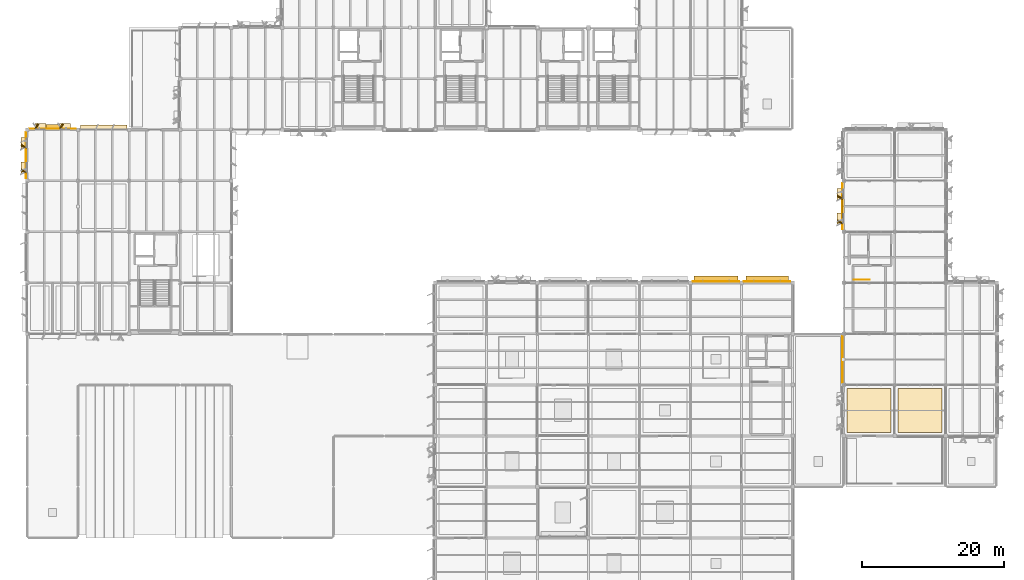
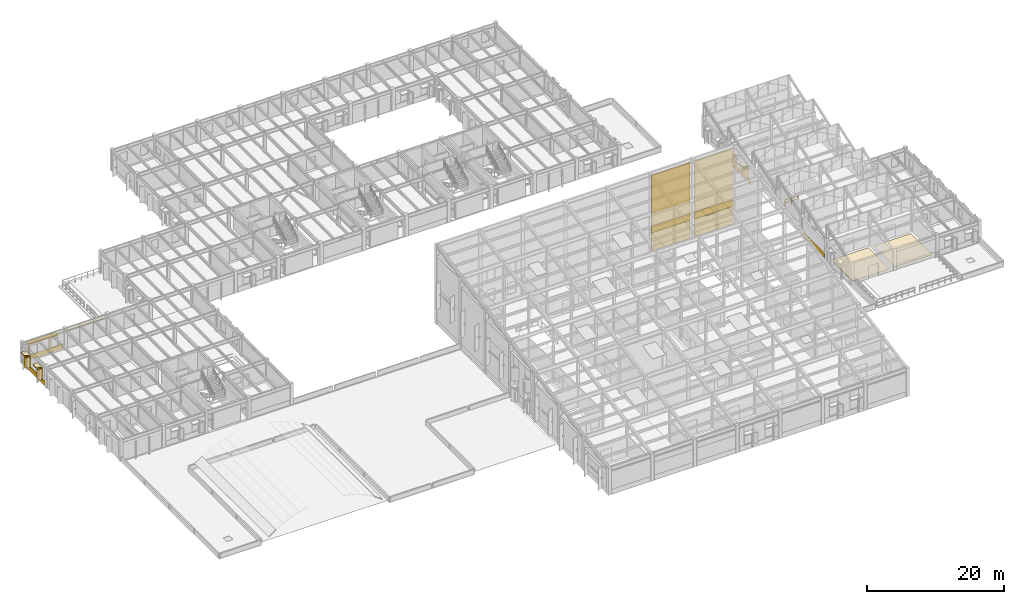
# One storey, part 76 of 82: 27 coverings, 4 shading devices, 1 railing.
"""IFC4 building model written with IfcOpenShell, lengths in metres."""

import ifcopenshell
import ifcopenshell.guid

model = None  # the IFC model being written
_history = None  # IfcOwnerHistory: only IFC2X3 demands one
_inside = {}  # id of a spatial element -> (the spatial element, [elements in it])
_under = {}  # id of a project, library or spatial element -> (it, [spatial elements below it])
_declared = {}  # id of a project -> (the project, [libraries it declares])
_typed = {}  # id of a type object -> (the type object, [elements of that type])
_made_of = {}  # id of a material, layer set ... -> (it, [elements and type objects made of it])


def new_model(schema):
    """Start an empty IFC model of exactly this schema.

    Asked for "IFC4X3", IfcOpenShell would pick the latest addendum, in which some entities
    have other attributes; the version numbers below select the first issue.
    IFC2X3 requires an IfcOwnerHistory on every rooted entity: one is made here for all.
    """
    global model, _history
    if schema == "IFC4X3":
        model = ifcopenshell.file(schema_version=(4, 3, 0, 0))
    else:
        model = ifcopenshell.file(schema=schema)
    _inside.clear()
    _under.clear()
    _declared.clear()
    _typed.clear()
    _made_of.clear()
    _history = None
    if model.schema == "IFC2X3":
        org = make("IfcOrganization", Name="unknown")
        user = make(
            "IfcPersonAndOrganization",
            ThePerson=make("IfcPerson", FamilyName="unknown"),
            TheOrganization=org,
        )
        app = make(
            "IfcApplication",
            ApplicationDeveloper=org,
            Version="unknown",
            ApplicationFullName="unknown",
            ApplicationIdentifier="unknown",
        )
        _history = make(
            "IfcOwnerHistory",
            OwningUser=user,
            OwningApplication=app,
            ChangeAction="ADDED",
            CreationDate=0,
        )
    return model


def make(cls, **values):
    """One entity of the class cls with the attributes given. An attribute that is None is left unset."""
    return model.create_entity(
        cls, **{name: value for name, value in values.items() if value is not None}
    )


def rooted(cls, **values):
    """An entity with a GlobalId (a new one), such as an element, a storey or a relation."""
    return make(cls, GlobalId=ifcopenshell.guid.new(), OwnerHistory=_history, **values)


def si_unit(unit_type, name, prefix=None):
    """IfcSIUnit, for example si_unit("LENGTHUNIT", "METRE", prefix="MILLI")."""
    return make("IfcSIUnit", UnitType=unit_type, Prefix=prefix, Name=name)


def assignment(units):
    """IfcUnitAssignment: the units of a project."""
    return None if units is None else make("IfcUnitAssignment", Units=units)


def point(xyz):
    """IfcCartesianPoint."""
    return None if xyz is None else make("IfcCartesianPoint", Coordinates=xyz)


def direction(xyz):
    """IfcDirection."""
    return None if xyz is None else make("IfcDirection", DirectionRatios=xyz)


def frame(location, z_axis=None, x_axis=None):
    """IfcAxis2Placement3D, a coordinate frame: its origin and axes. An axis left out is left unset."""
    return make(
        "IfcAxis2Placement3D",
        Location=point(location),
        Axis=direction(z_axis),
        RefDirection=direction(x_axis),
    )


def frame_2d(location, x_axis=None):
    """IfcAxis2Placement2D, a coordinate frame in the plane: its origin and x axis."""
    return make(
        "IfcAxis2Placement2D", Location=point(location), RefDirection=direction(x_axis)
    )


def origin():
    """The frame at (0, 0, 0) with its axes left unset."""
    return frame((0.0, 0.0, 0.0))


def origin_2d():
    """The frame at (0, 0) in the plane with its x axis left unset."""
    return frame_2d((0.0, 0.0))


def place(relative_to, where):
    """IfcLocalPlacement: puts the frame where relative to a parent placement (None: the world)."""
    return make(
        "IfcLocalPlacement", PlacementRelTo=relative_to, RelativePlacement=where
    )


def context(
    kind, dimensions, precision=None, world=None, true_north=None, identifier=None
):
    """IfcGeometricRepresentationContext, for example the 3D "Model" context."""
    return make(
        "IfcGeometricRepresentationContext",
        ContextIdentifier=identifier,
        ContextType=kind,
        CoordinateSpaceDimension=dimensions,
        Precision=precision,
        WorldCoordinateSystem=world,
        TrueNorth=true_north,
    )


def subcontext(parent, identifier, kind, view, scale=None):
    """IfcGeometricRepresentationSubContext, for example "Body" below "Model"."""
    return make(
        "IfcGeometricRepresentationSubContext",
        ContextIdentifier=identifier,
        ContextType=kind,
        ParentContext=parent,
        TargetScale=scale,
        TargetView=view,
    )


def project(units=None, contexts=None):
    """IfcProject with its units and contexts."""
    return rooted(
        "IfcProject",
        Name="project",
        RepresentationContexts=contexts,
        UnitsInContext=assignment(units),
    )


def spatial(cls, under=None, at=None, **own):
    """A site, building, storey or space (cls), placed at a placement, below another one or the project."""
    s = rooted(cls, ObjectPlacement=at, **own)
    if under is not None:
        _under.setdefault(under.id(), (under, []))[1].append(s)
    return s


def polyline(points):
    """IfcPolyline through the points."""
    return make("IfcPolyline", Points=[point(p) for p in points])


def profile(cls, at=None, kind="AREA", **sizes):
    """A parametric profile (cls). Its sizes go by their IFC names, for example OverallWidth=200.0."""
    return make(cls, ProfileType=kind, Position=at, **sizes)


def rectangle(**sizes):
    """IfcRectangleProfileDef."""
    return profile("IfcRectangleProfileDef", **sizes)


def circle(**sizes):
    """IfcCircleProfileDef."""
    return profile("IfcCircleProfileDef", **sizes)


def outline(outer, holes=None, kind="AREA"):
    """IfcArbitraryClosedProfileDef: a profile drawn as a closed curve; with holes, ...WithVoids."""
    if holes is None:
        return make("IfcArbitraryClosedProfileDef", ProfileType=kind, OuterCurve=outer)
    return make(
        "IfcArbitraryProfileDefWithVoids",
        ProfileType=kind,
        OuterCurve=outer,
        InnerCurves=holes,
    )


def extrude(swept, where, along, depth):
    """IfcExtrudedAreaSolid: the profile swept, set in the frame where, extruded along a direction by depth."""
    return make(
        "IfcExtrudedAreaSolid",
        SweptArea=swept,
        Position=where,
        ExtrudedDirection=direction(along),
        Depth=depth,
    )


def shape(context_of_items, identifier, shape_type, items):
    """IfcShapeRepresentation: the items that make up one representation, for example the "Body"."""
    return make(
        "IfcShapeRepresentation",
        ContextOfItems=context_of_items,
        RepresentationIdentifier=identifier,
        RepresentationType=shape_type,
        Items=items,
    )


def material(Name=None, Category=None):
    """IfcMaterial."""
    return make("IfcMaterial", Name=Name, Category=Category)


def layer(
    of_material, thickness, ventilated=None, Name=None, Category=None, Priority=None
):
    """IfcMaterialLayer: one layer of a wall or slab, of a material (None: an air gap)."""
    return make(
        "IfcMaterialLayer",
        Material=of_material,
        LayerThickness=thickness,
        IsVentilated=ventilated,
        Name=Name,
        Category=Category,
        Priority=Priority,
    )


def layer_set(layers, Name=None):
    """IfcMaterialLayerSet."""
    return make("IfcMaterialLayerSet", MaterialLayers=layers, LayerSetName=Name)


def made_of(thing, what):
    """Note that an element or type object is made of a material, layer set ...; save() writes the relation."""
    if what is not None:
        _made_of.setdefault(what.id(), (what, []))[1].append(thing)
    return thing


def type_object(cls, material=None, **own):
    """A type object (cls), such as IfcWallType, which elements share."""
    return made_of(rooted(cls, **own), material)


def element(
    cls,
    number,
    at=None,
    inside=None,
    cuts=None,
    type_object=None,
    material=None,
    context=None,
    identifier="Body",
    shape_type=None,
    held_by="IfcProductDefinitionShape",
    body=None,
    shapes=None,
    **own,
):
    """One element of the class cls, such as IfcWall. Its Tag is "e" and its number.

    at: its placement. inside: the storey or other place that contains it. cuts: it is an
    opening in that element (IfcRelVoidsElement). A single representation is given by context,
    identifier, shape_type and body (its items); several are given by shapes. held_by: the class
    of the entity that holds the representations. save() writes the other relations.
    """
    e = rooted(cls, Tag="e%d" % number, ObjectPlacement=at, **own)
    if body is not None:
        shapes = [shape(context, identifier, shape_type, body)]
    if shapes is not None:
        e.Representation = make(held_by, Representations=shapes)
    if inside is not None:
        _inside.setdefault(inside.id(), (inside, []))[1].append(e)
    if cuts is not None:
        rooted(
            "IfcRelVoidsElement", RelatingBuildingElement=cuts, RelatedOpeningElement=e
        )
    if type_object is not None:
        _typed.setdefault(type_object.id(), (type_object, []))[1].append(e)
    return made_of(e, material)


def aggregate(whole, parts):
    """IfcRelAggregates: a whole, such as a stair, and the parts it consists of."""
    return rooted("IfcRelAggregates", RelatingObject=whole, RelatedObjects=parts)


def save(model, path):
    """Write the relations noted so far, then the file.

    IfcRelAggregates (storeys below a building ...), IfcRelContainedInSpatialStructure (elements
    in a storey), IfcRelDefinesByType, IfcRelAssociatesMaterial and IfcRelDeclares: one each for
    every whole, place, type object, material and project.
    """
    for whole, parts in _under.values():
        aggregate(whole, parts)
    for where, things in _inside.values():
        rooted(
            "IfcRelContainedInSpatialStructure",
            RelatedElements=things,
            RelatingStructure=where,
        )
    for kind, things in _typed.values():
        rooted("IfcRelDefinesByType", RelatedObjects=things, RelatingType=kind)
    for what, things in _made_of.values():
        rooted("IfcRelAssociatesMaterial", RelatedObjects=things, RelatingMaterial=what)
    for by, libraries in _declared.values():
        rooted("IfcRelDeclares", RelatingContext=by, RelatedDefinitions=libraries)
    model.write(path)


model = new_model("IFC4")

# Units and contexts
model_context = context("Model", 3, precision=1e-05, world=origin(), true_north=direction((0.0, 1.0)))
body_context = subcontext(model_context, "Body", "Model", "MODEL_VIEW")
ifc_project = project(units=[si_unit("LENGTHUNIT", "METRE"), si_unit("AREAUNIT", "SQUARE_METRE"), si_unit("VOLUMEUNIT", "CUBIC_METRE"), si_unit("PLANEANGLEUNIT", "RADIAN"), si_unit("MASSUNIT", "GRAM", prefix="KILO")], contexts=[model_context])

# Site, building, storey
site_placement = place(None, origin())
site = spatial("IfcSite", under=ifc_project, at=site_placement, CompositionType="ELEMENT")
building_placement = place(site_placement, origin())
building = spatial("IfcBuilding", under=site, at=building_placement, Name="Sillqori Civic Hall", CompositionType="ELEMENT")
storey_placement = place(building_placement, frame((0.0, 0.0, 14.10009765625)))
storey = spatial("IfcBuildingStorey", under=building, at=storey_placement, Name="L04", CompositionType="ELEMENT", Elevation=14.10009765625)

# Coverings
ifc_material_1 = material(Name="Cochabamba Honed Limestone Cladding", Category="masonry")
ifc_layer_1 = layer(ifc_material_1, 0.044921875)
ifc_layer_set_1 = layer_set([ifc_layer_1], Name="Cochabamba Honed Limestone Cladding")
covering_type_1 = type_object("IfcCoveringType", Name="COV-CLAD-LIME", PredefinedType="CLADDING", material=ifc_layer_set_1)
covering_1_placement = place(storey_placement, frame((7.530029296875, 79.340087890625, 0.039794921875), z_axis=(0.0, 0.0, 1.0), x_axis=(1.0, 0.0, 0.0)))
element("IfcCovering", 1, at=covering_1_placement, inside=storey, type_object=covering_type_1, Name="L04 limestone spandrel cladding L04-01-10-N", PredefinedType="CLADDING", context=body_context, shape_type="SweptSolid", body=[
    extrude(rectangle(XDim=6.5400390625, YDim=0.044921875, at=frame_2d((3.27001953125, 0.0))), origin(), (0.0, 0.0, 1.0), 0.860107421875),
])
covering_2_placement = place(storey_placement, frame((8.337890625, 79.300048828125, 0.829833984375), z_axis=(0.0, 0.0, 1.0), x_axis=(0.500062241894, 0.865989465428, 0.0)))
element("IfcCovering", 2, at=covering_2_placement, inside=storey, type_object=covering_type_1, Name="Sawtooth limestone angled reveal cheek L04-01-10-N.1", PredefinedType="CLADDING", context=body_context, shape_type="SweptSolid", body=[
    extrude(rectangle(XDim=0.85009765625, YDim=0.179931640625, at=frame_2d((0.425048828125, 0.0))), origin(), (0.0, 0.0, 1.0), 2.0),
])
covering_3_placement = place(storey_placement, frame((8.278076171875, 79.679931640625, 2.68994140625), z_axis=(0.0, 0.0, 1.0), x_axis=(1.0, 0.0, 0.0)))
element("IfcCovering", 3, at=covering_3_placement, inside=storey, type_object=covering_type_1, Name="Sawtooth limestone window hood L04-01-10-N.1", PredefinedType="CLADDING", context=body_context, shape_type="SweptSolid", body=[
    extrude(rectangle(XDim=1.559814453125, YDim=0.780029296875, at=frame_2d((0.77978515625, 0.0))), origin(), (0.0, 0.0, 1.0), 0.139892578125),
])
covering_4_placement = place(storey_placement, frame((11.822021484375, 79.300048828125, 0.829833984375), z_axis=(0.0, 0.0, 1.0), x_axis=(0.500062241894, 0.865989465428, 0.0)))
element("IfcCovering", 4, at=covering_4_placement, inside=storey, type_object=covering_type_1, Name="Sawtooth limestone angled reveal cheek L04-01-10-N.2", PredefinedType="CLADDING", context=body_context, shape_type="SweptSolid", body=[
    extrude(rectangle(XDim=0.85009765625, YDim=0.179931640625, at=frame_2d((0.425048828125, 0.0))), origin(), (0.0, 0.0, 1.0), 2.0),
])
covering_5_placement = place(storey_placement, frame((11.761962890625, 79.679931640625, 2.68994140625), z_axis=(0.0, 0.0, 1.0), x_axis=(1.0, 0.0, 0.0)))
element("IfcCovering", 5, at=covering_5_placement, inside=storey, type_object=covering_type_1, Name="Sawtooth limestone window hood L04-01-10-N.2", PredefinedType="CLADDING", context=body_context, shape_type="SweptSolid", body=[
    extrude(rectangle(XDim=1.56005859375, YDim=0.780029296875, at=frame_2d((0.780029296875, 0.0))), origin(), (0.0, 0.0, 1.0), 0.139892578125),
])
covering_6_placement = place(storey_placement, frame((7.06005859375, 72.330078125, 0.039794921875), z_axis=(0.0, 0.0, 1.0), x_axis=(0.0, 1.0, 0.0)))
element("IfcCovering", 6, at=covering_6_placement, inside=storey, type_object=covering_type_1, Name="L04 limestone spandrel cladding L04-01-10-W", PredefinedType="CLADDING", context=body_context, shape_type="SweptSolid", body=[
    extrude(rectangle(XDim=6.5400390625, YDim=0.044921875, at=frame_2d((3.27001953125, 0.0))), origin(), (0.0, 0.0, 1.0), 0.860107421875),
])
covering_7_placement = place(storey_placement, frame((7.10009765625, 73.137939453125, 0.829833984375), z_axis=(0.0, 0.0, 1.0), x_axis=(-0.865989465428, 0.500062241894, 0.0)))
element("IfcCovering", 7, at=covering_7_placement, inside=storey, type_object=covering_type_1, Name="Sawtooth limestone angled reveal cheek L04-01-10-W.1", PredefinedType="CLADDING", context=body_context, shape_type="SweptSolid", body=[
    extrude(rectangle(XDim=0.85009765625, YDim=0.179931640625, at=frame_2d((0.425048828125, 0.0))), origin(), (0.0, 0.0, 1.0), 2.0),
])
covering_8_placement = place(storey_placement, frame((6.719970703125, 73.077880859375, 2.68994140625), z_axis=(0.0, 0.0, 1.0), x_axis=(0.0, 1.0, 0.0)))
element("IfcCovering", 8, at=covering_8_placement, inside=storey, type_object=covering_type_1, Name="Sawtooth limestone window hood L04-01-10-W.1", PredefinedType="CLADDING", context=body_context, shape_type="SweptSolid", body=[
    extrude(rectangle(XDim=1.56005859375, YDim=0.780029296875, at=frame_2d((0.780029296875, 0.0))), origin(), (0.0, 0.0, 1.0), 0.139892578125),
])
covering_9_placement = place(storey_placement, frame((7.10009765625, 76.6220703125, 0.829833984375), z_axis=(0.0, 0.0, 1.0), x_axis=(-0.865989465428, 0.500062241894, 0.0)))
element("IfcCovering", 9, at=covering_9_placement, inside=storey, type_object=covering_type_1, Name="Sawtooth limestone angled reveal cheek L04-01-10-W.2", PredefinedType="CLADDING", context=body_context, shape_type="SweptSolid", body=[
    extrude(rectangle(XDim=0.85009765625, YDim=0.179931640625, at=frame_2d((0.425048828125, 0.0))), origin(), (0.0, 0.0, 1.0), 2.0),
])
covering_10_placement = place(storey_placement, frame((6.719970703125, 76.56201171875, 2.68994140625), z_axis=(0.0, 0.0, 1.0), x_axis=(0.0, 1.0, 0.0)))
element("IfcCovering", 10, at=covering_10_placement, inside=storey, type_object=covering_type_1, Name="Sawtooth limestone window hood L04-01-10-W.2", PredefinedType="CLADDING", context=body_context, shape_type="SweptSolid", body=[
    extrude(rectangle(XDim=1.56005859375, YDim=0.780029296875, at=frame_2d((0.780029296875, 0.0))), origin(), (0.0, 0.0, 1.0), 0.139892578125),
])
covering_11_placement = place(storey_placement, frame((14.72998046875, 79.52001953125, 2.93798828125), z_axis=(0.0, 0.0, 1.0), x_axis=(1.0, 0.0, 0.0)))
element("IfcCovering", 11, at=covering_11_placement, inside=storey, type_object=covering_type_1, Name="L04 curtain-wall limestone solar hood L04-02-10-N", PredefinedType="CLADDING", context=body_context, shape_type="SweptSolid", body=[
    extrude(rectangle(XDim=6.5400390625, YDim=0.679931640625, at=frame_2d((3.27001953125, 0.0))), origin(), (0.0, 0.0, 1.0), 0.179931640625),
])
covering_12_placement = place(storey_placement, frame((101.1298828125, 57.780029296875, 0.039794921875), z_axis=(0.0, 0.0, 1.0), x_axis=(1.0, 0.0, 0.0)))
element("IfcCovering", 12, at=covering_12_placement, inside=storey, type_object=covering_type_1, Name="L04 limestone spandrel cladding L04-14-07-N", PredefinedType="CLADDING", context=body_context, shape_type="SweptSolid", body=[
    extrude(rectangle(XDim=6.5400390625, YDim=0.044921875, at=frame_2d((3.27001953125, 0.0))), origin(), (0.0, 0.0, 1.0), 0.860107421875),
])
covering_13_placement = place(storey_placement, frame((101.1298828125, 57.780029296875, 3.219970703125), z_axis=(0.0, 0.0, 1.0), x_axis=(1.0, 0.0, 0.0)))
element("IfcCovering", 13, at=covering_13_placement, inside=storey, type_object=covering_type_1, Name="L04 limestone mid-spandrel cladding L04-14-07-N", PredefinedType="CLADDING", context=body_context, shape_type="SweptSolid", body=[
    extrude(rectangle(XDim=6.5400390625, YDim=0.044921875, at=frame_2d((3.27001953125, 0.0))), origin(), (0.0, 0.0, 1.0), 1.260009765625),
])
covering_14_placement = place(storey_placement, frame((101.1298828125, 57.780029296875, 6.719970703125), z_axis=(0.0, 0.0, 1.0), x_axis=(1.0, 0.0, 0.0)))
element("IfcCovering", 14, at=covering_14_placement, inside=storey, type_object=covering_type_1, Name="L04 limestone frieze cladding L04-14-07-N", PredefinedType="CLADDING", context=body_context, shape_type="SweptSolid", body=[
    extrude(rectangle(XDim=6.5400390625, YDim=0.044921875, at=frame_2d((3.27001953125, 0.0))), origin(), (0.0, 0.0, 1.0), 6.931884765625),
])
covering_15_placement = place(storey_placement, frame((101.1298828125, 57.780029296875, 0.89990234375), z_axis=(0.0, 0.0, 1.0), x_axis=(1.0, 0.0, 0.0)))
element("IfcCovering", 15, at=covering_15_placement, inside=storey, type_object=covering_type_1, Name="L04 Wedge Hall limestone pier cladding L04-14-07-N.1", PredefinedType="CLADDING", context=body_context, shape_type="SweptSolid", body=[
    extrude(rectangle(XDim=6.5400390625, YDim=0.044921875, at=frame_2d((3.27001953125, 0.0))), origin(), (0.0, 0.0, 1.0), 12.751953125),
])
covering_16_placement = place(storey_placement, frame((108.330078125, 57.780029296875, 0.039794921875), z_axis=(0.0, 0.0, 1.0), x_axis=(1.0, 0.0, 0.0)))
element("IfcCovering", 16, at=covering_16_placement, inside=storey, type_object=covering_type_1, Name="L04 limestone spandrel cladding L04-15-07-N", PredefinedType="CLADDING", context=body_context, shape_type="SweptSolid", body=[
    extrude(rectangle(XDim=6.5400390625, YDim=0.044921875, at=frame_2d((3.27001953125, 0.0))), origin(), (0.0, 0.0, 1.0), 0.860107421875),
])
covering_17_placement = place(storey_placement, frame((108.330078125, 57.780029296875, 3.219970703125), z_axis=(0.0, 0.0, 1.0), x_axis=(1.0, 0.0, 0.0)))
element("IfcCovering", 17, at=covering_17_placement, inside=storey, type_object=covering_type_1, Name="L04 limestone mid-spandrel cladding L04-15-07-N", PredefinedType="CLADDING", context=body_context, shape_type="SweptSolid", body=[
    extrude(rectangle(XDim=6.5400390625, YDim=0.044921875, at=frame_2d((3.27001953125, 0.0))), origin(), (0.0, 0.0, 1.0), 1.260009765625),
])
covering_18_placement = place(storey_placement, frame((108.330078125, 57.780029296875, 6.719970703125), z_axis=(0.0, 0.0, 1.0), x_axis=(1.0, 0.0, 0.0)))
element("IfcCovering", 18, at=covering_18_placement, inside=storey, type_object=covering_type_1, Name="L04 limestone frieze cladding L04-15-07-N", PredefinedType="CLADDING", context=body_context, shape_type="SweptSolid", body=[
    extrude(rectangle(XDim=6.5400390625, YDim=0.044921875, at=frame_2d((3.27001953125, 0.0))), origin(), (0.0, 0.0, 1.0), 6.96044921875),
])
covering_19_placement = place(storey_placement, frame((108.330078125, 57.780029296875, 0.89990234375), z_axis=(0.0, 0.0, 1.0), x_axis=(1.0, 0.0, 0.0)))
element("IfcCovering", 19, at=covering_19_placement, inside=storey, type_object=covering_type_1, Name="L04 Wedge Hall limestone pier cladding L04-15-07-N.1", PredefinedType="CLADDING", context=body_context, shape_type="SweptSolid", body=[
    extrude(rectangle(XDim=6.5400390625, YDim=0.044921875, at=frame_2d((3.27001953125, 0.0))), origin(), (0.0, 0.0, 1.0), 12.780517578125),
])
for number, where, z_axis, x_axis, name in (
    (20, (122.22998046875, 43.530029296875, 0.039794921875), (0.0, 0.0, 1.0), (0.0, 1.0, 0.0), "L04 limestone spandrel cladding L04-17-06-W"),
    (21, (122.22998046875, 65.1298828125, 0.039794921875), (0.0, 0.0, 1.0), (0.0, 1.0, 0.0), "L04 limestone spandrel cladding L04-17-09-W"),
):
    element("IfcCovering", number, at=place(storey_placement, frame(where, z_axis=z_axis, x_axis=x_axis)), inside=storey, type_object=covering_type_1, Name=name, PredefinedType="CLADDING", context=body_context, shape_type="SweptSolid", body=[
        extrude(rectangle(XDim=6.5400390625, YDim=0.044921875, at=frame_2d((3.27001953125, 0.0))), origin(), (0.0, 0.0, 1.0), 0.860107421875),
    ])
covering_20_placement = place(storey_placement, frame((122.27001953125, 65.93798828125, 0.829833984375), z_axis=(0.0, 0.0, 1.0), x_axis=(-0.865989465428, 0.500062241894, 0.0)))
element("IfcCovering", 22, at=covering_20_placement, inside=storey, type_object=covering_type_1, Name="Sawtooth limestone angled reveal cheek L04-17-09-W.1", PredefinedType="CLADDING", context=body_context, shape_type="SweptSolid", body=[
    extrude(rectangle(XDim=0.85009765625, YDim=0.179931640625, at=frame_2d((0.425048828125, 0.0))), origin(), (0.0, 0.0, 1.0), 2.0),
])
covering_21_placement = place(storey_placement, frame((121.889892578125, 65.8779296875, 2.68994140625), z_axis=(0.0, 0.0, 1.0), x_axis=(0.0, 1.0, 0.0)))
element("IfcCovering", 23, at=covering_21_placement, inside=storey, type_object=covering_type_1, Name="Sawtooth limestone window hood L04-17-09-W.1", PredefinedType="CLADDING", context=body_context, shape_type="SweptSolid", body=[
    extrude(rectangle(XDim=1.56005859375, YDim=0.780029296875, at=frame_2d((0.780029296875, 0.0))), origin(), (0.0, 0.0, 1.0), 0.139892578125),
])
covering_22_placement = place(storey_placement, frame((122.27001953125, 69.422119140625, 0.829833984375), z_axis=(0.0, 0.0, 1.0), x_axis=(-0.866113839764, 0.499846793097, 0.0)))
element("IfcCovering", 24, at=covering_22_placement, inside=storey, type_object=covering_type_1, Name="Sawtooth limestone angled reveal cheek L04-17-09-W.2", PredefinedType="CLADDING", context=body_context, shape_type="SweptSolid", body=[
    extrude(rectangle(XDim=0.849853515625, YDim=0.179931640625, at=frame_2d((0.4248046875, 0.0))), origin(), (0.0, 0.0, 1.0), 2.0),
])
covering_23_placement = place(storey_placement, frame((121.889892578125, 69.362060546875, 2.68994140625), z_axis=(0.0, 0.0, 1.0), x_axis=(0.0, 1.0, 0.0)))
element("IfcCovering", 25, at=covering_23_placement, inside=storey, type_object=covering_type_1, Name="Sawtooth limestone window hood L04-17-09-W.2", PredefinedType="CLADDING", context=body_context, shape_type="SweptSolid", body=[
    extrude(rectangle(XDim=1.56005859375, YDim=0.780029296875, at=frame_2d((0.780029296875, 0.0))), origin(), (0.0, 0.0, 1.0), 0.139892578125),
])
ifc_material_2 = material(Name="Seamless Polyurethane Acoustic Screed 12", Category="resin")
ifc_layer_2 = layer(ifc_material_2, 0.011962890625)
ifc_layer_set_2 = layer_set([ifc_layer_2], Name="Seamless Polyurethane Acoustic Screed 12")
covering_type_2 = type_object("IfcCoveringType", Name="COV-FLR-R12", PredefinedType="FLOORING", material=ifc_layer_set_2)
covering_24_placement = place(storey_placement, origin())
element("IfcCovering", 26, at=covering_24_placement, inside=storey, type_object=covering_type_2, Name="Clerestory Members Library Reading Room floor finish", PredefinedType="FLOORING", context=body_context, shape_type="SweptSolid", body=[
    extrude(outline(polyline([(122.8798828125, 36.47998046875), (129.1201171875, 36.47998046875), (129.1201171875, 42.719970703125), (122.8798828125, 42.719970703125), (122.8798828125, 36.47998046875)])), origin(), (0.0, 0.0, 1.0), 0.011962890625),
])
ifc_material_3 = material(Name="Honed Cochabamba Limestone Terrazzo", Category="masonry")
ifc_layer_3 = layer(ifc_material_3, 0.031982421875)
ifc_layer_set_3 = layer_set([ifc_layer_3], Name="Honed Cochabamba Limestone Terrazzo")
covering_type_3 = type_object("IfcCoveringType", Name="COV-FLR-TRZ", PredefinedType="FLOORING", material=ifc_layer_set_3)
covering_25_placement = place(storey_placement, origin())
element("IfcCovering", 27, at=covering_25_placement, inside=storey, type_object=covering_type_3, Name="Parliamentary Scholars Study Room floor finish", PredefinedType="FLOORING", context=body_context, shape_type="SweptSolid", body=[
    extrude(outline(polyline([(130.080078125, 36.47998046875), (136.320068359375, 36.47998046875), (136.320068359375, 42.719970703125), (130.080078125, 42.719970703125), (130.080078125, 36.47998046875)])), origin(), (0.0, 0.0, 1.0), 0.031982421875),
])

# Railing
ifc_material_4 = material(Name="Galvanized Painted Steel Guardrail", Category="steel")
ifc_layer_4 = layer(ifc_material_4, 0.050048828125)
ifc_layer_set_4 = layer_set([ifc_layer_4], Name="Galvanized Painted Steel Guardrail")
railing_type = type_object("IfcRailingType", Name="RLG-CORE-110", PredefinedType="GUARDRAIL", material=ifc_layer_set_4)
railing_placement = place(storey_placement, frame((123.860107421875, 58.02001953125, 0.0)))
element("IfcRailing", 28, at=railing_placement, inside=storey, type_object=railing_type, Name="L04 ST-02 top well guard 1", PredefinedType="GUARDRAIL", context=body_context, shape_type="SweptSolid", body=[
    extrude(circle(Radius=0.02392578125, at=origin_2d()), frame((0.0, 0.0, 1.076171875), z_axis=(1.0, 0.0, 0.0), x_axis=(0.0, 1.0, 0.0)), (0.0, 0.0, 1.0), 2.219970703125),
    extrude(circle(Radius=0.02392578125, at=origin_2d()), frame((0.0, 0.0, 0.550048828125), z_axis=(1.0, 0.0, 0.0), x_axis=(0.0, 1.0, 0.0)), (0.0, 0.0, 1.0), 2.219970703125),
    extrude(circle(Radius=0.02099609375, at=origin_2d()), origin(), (0.0, 0.0, 1.0), 1.052001953125),
    extrude(circle(Radius=0.02099609375, at=origin_2d()), frame((1.10986328125, 0.0, 0.0)), (0.0, 0.0, 1.0), 1.052001953125),
    extrude(circle(Radius=0.02099609375, at=origin_2d()), frame((2.219970703125, 0.0, 0.0)), (0.0, 0.0, 1.0), 1.052001953125),
])

# Shading devices
ifc_material_5 = material(Name="Anodized Aluminium Solar Control Louvre", Category="aluminium")
shading_device_type_1 = type_object("IfcShadingDeviceType", Name="SHD-CLAU-320", PredefinedType="SHUTTER", material=ifc_material_5)
shading_device_1_placement = place(storey_placement, frame((122.18994140625, 68.39990234375, 1.52001953125), z_axis=(0.0, 0.0, 1.0), x_axis=(0.0, 1.0, 0.0)))
element("IfcShadingDevice", 29, at=shading_device_1_placement, inside=storey, type_object=shading_device_type_1, Name="L04 pierced claustra screen L04-17-09-W", PredefinedType="SHUTTER", context=body_context, shape_type="SweptSolid", body=[
    extrude(rectangle(XDim=3.199951171875, YDim=0.159912109375, at=origin_2d()), origin(), (0.0, 0.0, 1.0), 0.159912109375),
])
shading_device_type_2 = type_object("IfcShadingDeviceType", Name="SHD-HOOD-500", PredefinedType="JALOUSIE", material=ifc_material_5)
shading_device_2_placement = place(storey_placement, frame((10.800048828125, 79.6298828125, 2.7197265625), z_axis=(0.0, 0.0, 1.0), x_axis=(1.0, 0.0, 0.0)))
element("IfcShadingDevice", 30, at=shading_device_2_placement, inside=storey, type_object=shading_device_type_2, Name="L04 north solar hood L04-01-10-N", PredefinedType="JALOUSIE", context=body_context, shape_type="SweptSolid", body=[
    extrude(rectangle(XDim=5.0, YDim=0.64990234375, at=origin_2d()), origin(), (0.0, 0.0, 1.0), 0.139892578125),
])
shading_device_type_3 = type_object("IfcShadingDeviceType", Name="SHD-HOOD-600", PredefinedType="JALOUSIE", material=ifc_material_5)
shading_device_3_placement = place(storey_placement, frame((111.60009765625, 58.135009765625, 3.169921875), z_axis=(0.0, 0.0, 1.0), x_axis=(1.0, 0.0, 0.0)))
element("IfcShadingDevice", 31, at=shading_device_3_placement, inside=storey, type_object=shading_device_type_3, Name="L04 north solar hood L04-15-07-N", PredefinedType="JALOUSIE", context=body_context, shape_type="SweptSolid", body=[
    extrude(rectangle(XDim=6.0, YDim=0.780029296875, at=origin_2d()), origin(), (0.0, 0.0, 1.0), 0.139892578125),
])
shading_device_type_4 = type_object("IfcShadingDeviceType", Name="SHD-HOOD-620", PredefinedType="JALOUSIE", material=ifc_material_5)
shading_device_4_placement = place(storey_placement, frame((104.39990234375, 58.14501953125, 3.31982421875), z_axis=(0.0, 0.0, 1.0), x_axis=(1.0, 0.0, 0.0)))
element("IfcShadingDevice", 32, at=shading_device_4_placement, inside=storey, type_object=shading_device_type_4, Name="L04 north solar hood L04-14-07-N", PredefinedType="JALOUSIE", context=body_context, shape_type="SweptSolid", body=[
    extrude(rectangle(XDim=6.199951171875, YDim=0.800048828125, at=origin_2d()), origin(), (0.0, 0.0, 1.0), 0.139892578125),
])

save(model, "model.ifc")
